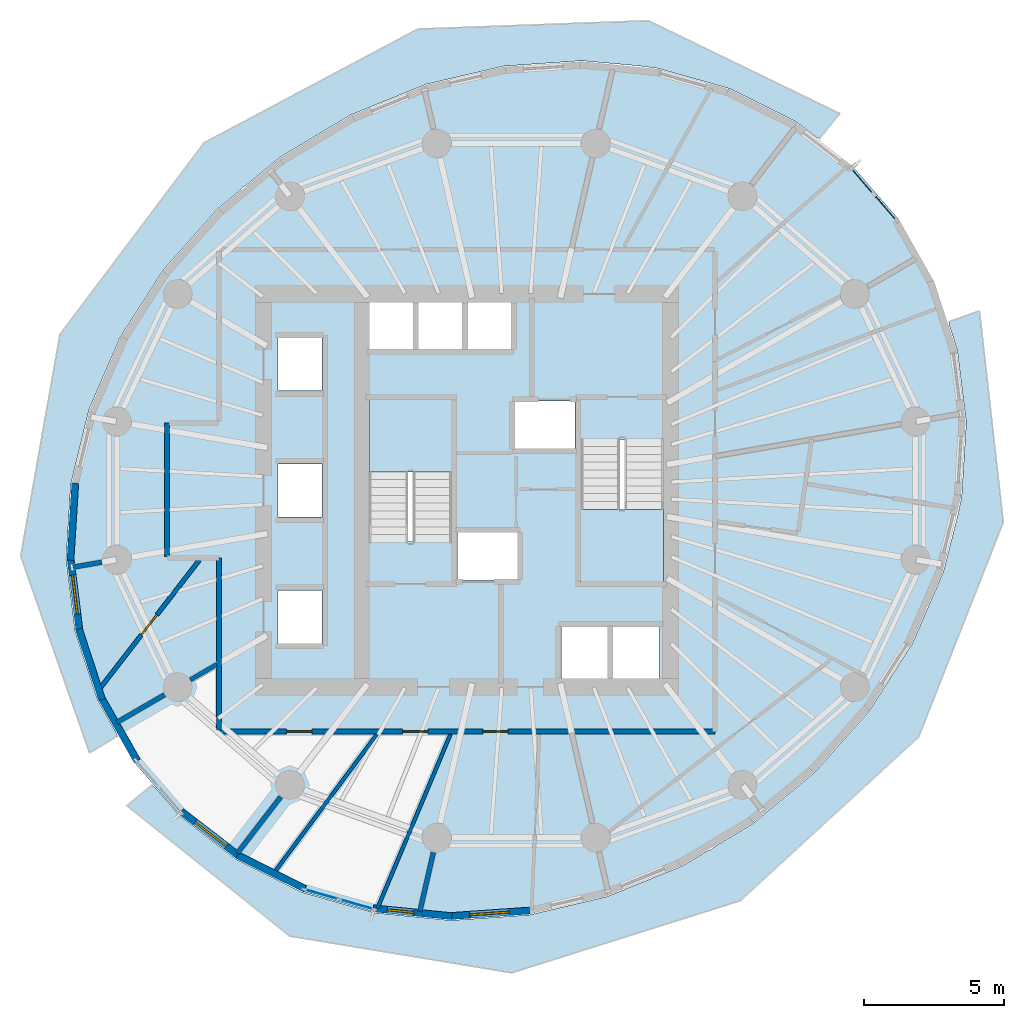
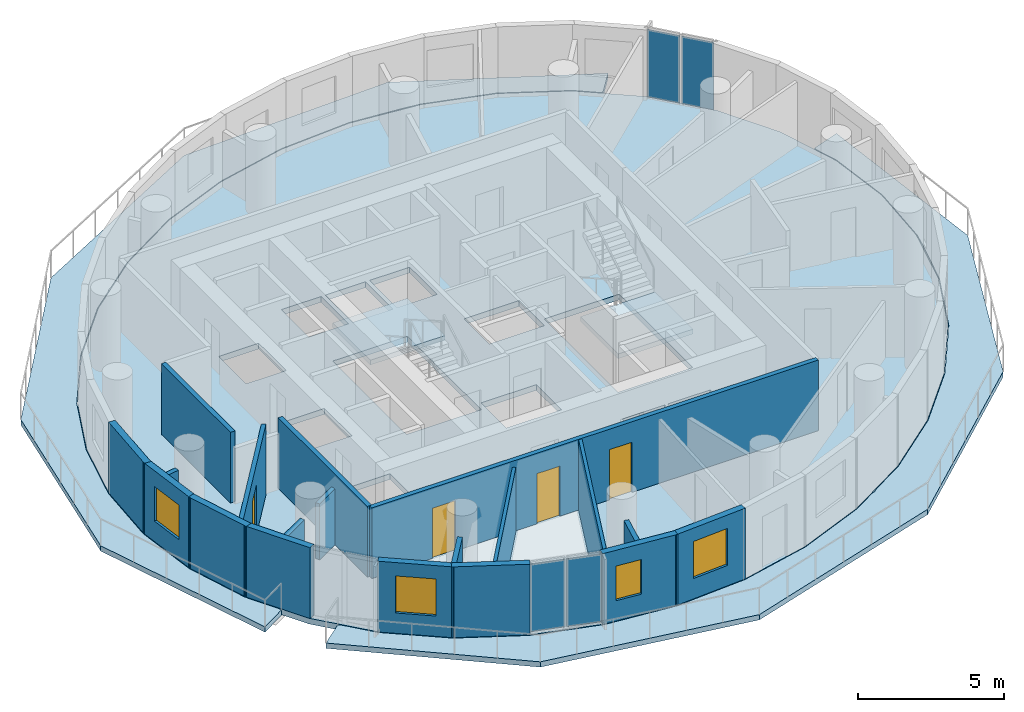
# One storey, part 4 of 12: 19 walls, 5 slabs, 4 doors, 4 plates, 4 windows, 8 openings, 4 elements without a shape of their own.
"""IFC4 building model written with IfcOpenShell, lengths in metres."""

from ifc_helpers import new_model, si_unit, direction, frame, frame_2d, origin, origin_2d, place, context, subcontext, project, spatial, polyline, rectangle, outline, extrude, material, layer, layer_set, type_object, element, fill, aggregate, save


model = new_model("IFC4")

# Units and contexts
model_context = context("Model", 3, precision=1e-05, world=origin(), true_north=direction((0.0, 1.0)))
body_context = subcontext(model_context, "Body", "Model", "MODEL_VIEW")
ifc_project = project(units=[si_unit("LENGTHUNIT", "METRE"), si_unit("AREAUNIT", "SQUARE_METRE"), si_unit("VOLUMEUNIT", "CUBIC_METRE"), si_unit("PLANEANGLEUNIT", "RADIAN"), si_unit("MASSUNIT", "GRAM", prefix="KILO")], contexts=[model_context])

# Site, building, storey
site_placement = place(None, origin())
site = spatial("IfcSite", under=ifc_project, at=site_placement, CompositionType="ELEMENT")
building_placement = place(site_placement, origin())
building = spatial("IfcBuilding", under=site, at=building_placement, Name="Veldorim Arch Residences", CompositionType="ELEMENT")
storey_placement = place(building_placement, frame((0.0, 0.0, 145.760009765625)))
storey = spatial("IfcBuildingStorey", under=building, at=storey_placement, Name="L43", CompositionType="ELEMENT", Elevation=145.760009765625)

# Slabs
ifc_material_1 = material(Name="Concrete C40/50", Category="concrete")
ifc_layer_1 = layer(ifc_material_1, 0.219970703125, Name="Planted Crescent Cantilever Balcony Slab 220")
ifc_layer_set_1 = layer_set([ifc_layer_1], Name="Concrete C40/50")
slab_type_1 = type_object("IfcSlabType", Name="Planted Crescent Cantilever Balcony Slab 220", PredefinedType="FLOOR", material=ifc_layer_set_1)
slab_1_placement = place(storey_placement, frame((0.0, 0.0, -0.219970703125)))
element("IfcSlab", 1, at=slab_1_placement, inside=storey, type_object=slab_type_1, Name="L43 planted crescent balcony slab A", PredefinedType="FLOOR", context=body_context, shape_type="SweptSolid", body=[
    extrude(outline(polyline([(42.681884765625, 36.580078125), (41.955810546875, 37.13916015625), (39.622314453125, 38.30322265625), (37.057373046875, 39.03271484375), (36.361328125, 39.122802734375), (34.339111328125, 39.30517578125), (31.5498046875, 39.11279296875), (28.7744140625, 38.461181640625), (26.09716796875, 37.37060546875), (23.59912109375, 35.873779296875), (22.39599609375, 34.877197265625), (22.2626953125, 34.80419921875), (22.181884765625, 34.699951171875), (21.356201171875, 34.016357421875), (19.436767578125, 31.8544921875), (17.898681640625, 29.454345703125), (16.788818359375, 26.88818359375), (16.14111328125, 24.234130859375), (15.975341796875, 21.572509765625), (16.29638671875, 18.98486328125), (17.094970703125, 16.54931640625), (17.749755859375, 15.393798828125), (17.789306640625, 15.2490234375), (16.80419921875, 14.655517578125), (14.352783203125, 21.66845703125), (15.75146484375, 29.5654296875), (20.880859375, 36.38525390625), (28.492431640625, 40.4365234375), (36.707763671875, 40.733642578125), (43.524169921875, 37.427490234375), (42.803955078125, 36.531005859375), (42.681884765625, 36.580078125)])), origin(), (0.0, 0.0, 1.0), 0.219970703125),
])
slab_2_placement = place(storey_placement, frame((0.0, 0.0, -0.219970703125)))
element("IfcSlab", 2, at=slab_2_placement, inside=storey, type_object=slab_type_1, Name="L43 planted crescent balcony slab B", PredefinedType="FLOOR", context=body_context, shape_type="SweptSolid", body=[
    extrude(outline(polyline([(19.1416015625, 13.426513671875), (20.01318359375, 12.424560546875), (22.044189453125, 10.86083984375), (24.377685546875, 9.69677734375), (26.942626953125, 8.96728515625), (29.660888671875, 8.69482421875), (32.4501953125, 8.88720703125), (35.2255859375, 9.538818359375), (37.90283203125, 10.62939453125), (38.82177734375, 11.18017578125), (38.947509765625, 11.221923828125), (39.06103515625, 11.323486328125), (40.40087890625, 12.126220703125), (42.643798828125, 13.983642578125), (44.563232421875, 16.1455078125), (46.101318359375, 18.545654296875), (47.211181640625, 21.11181640625), (47.712158203125, 23.07958984375), (47.85888671875, 23.765869140625), (48.024658203125, 26.427490234375), (47.70361328125, 29.01513671875), (47.418212890625, 29.8857421875), (47.412353515625, 30.017333984375), (48.49755859375, 30.398193359375), (49.346435546875, 22.8701171875), (46.33203125, 15.22216796875), (39.978515625, 9.392578125), (31.84033203125, 6.82568359375), (23.927978515625, 8.135009765625), (18.130615234375, 12.78076171875), (19.018310546875, 13.511962890625), (19.1416015625, 13.426513671875)])), origin(), (0.0, 0.0, 1.0), 0.219970703125),
])

# Stair, slab
ifc_material_2 = material(Name="Concrete C40/50", Category="concrete")
stair_type = type_object("IfcStairType", Name="Reinforced Concrete Dogleg Exit Staircase", PredefinedType="HALF_TURN_STAIR", material=ifc_material_2)
stair_1_placement = place(storey_placement, origin())
stair_1 = element("IfcStair", 3, at=stair_1_placement, inside=storey, type_object=stair_type, Name="L43 Exit Staircase ST-1", PredefinedType="HALF_TURN_STAIR")
ifc_material_3 = material(Name="Concrete C40/50", Category="concrete")
ifc_layer_2 = layer(ifc_material_3, 0.199951171875, Name="Reinforced Concrete Stair Landing 200")
ifc_layer_set_2 = layer_set([ifc_layer_2], Name="Concrete C40/50")
slab_type_2 = type_object("IfcSlabType", Name="Reinforced Concrete Stair Landing 200", PredefinedType="LANDING", material=ifc_layer_set_2)
slab_3_placement = place(storey_placement, frame((0.0, 0.0, 1.39990234375)))
slab_3 = element("IfcSlab", 4, at=slab_3_placement, type_object=slab_type_2, Name="ST-1 landing 1", PredefinedType="LANDING", context=body_context, shape_type="SweptSolid", body=[
    extrude(outline(polyline([(29.7099609375, 24.669921875), (29.7099609375, 27.25), (26.75, 27.25), (26.75, 24.669921875), (29.7099609375, 24.669921875)])), origin(), (0.0, 0.0, 1.0), 0.2001953125),
])
aggregate(stair_1, [slab_3])

stair_2_placement = place(storey_placement, origin())
stair_2 = element("IfcStair", 5, at=stair_2_placement, inside=storey, type_object=stair_type, Name="L43 Exit Staircase ST-2", PredefinedType="HALF_TURN_STAIR")
slab_4_placement = place(storey_placement, frame((0.0, 0.0, 1.39990234375)))
slab_4 = element("IfcSlab", 6, at=slab_4_placement, type_object=slab_type_2, Name="ST-2 landing 1", PredefinedType="LANDING", context=body_context, shape_type="SweptSolid", body=[
    extrude(outline(polyline([(34.2900390625, 23.330078125), (34.2900390625, 20.75), (37.25, 20.75), (37.25, 23.330078125), (34.2900390625, 23.330078125)])), origin(), (0.0, 0.0, 1.0), 0.2001953125),
])
aggregate(stair_2, [slab_4])

# Slab
ifc_material_4 = material(Name="Concrete C40/50", Category="concrete")
ifc_layer_3 = layer(ifc_material_4, 0.239990234375, Name="Typical Residential Floor Slab 240")
ifc_layer_set_3 = layer_set([ifc_layer_3], Name="Concrete C40/50")
slab_type_3 = type_object("IfcSlabType", Name="Typical Residential Floor Slab 240", PredefinedType="FLOOR", material=ifc_layer_set_3)
slab_5_placement = place(storey_placement, frame((0.0, 0.0, -0.239990234375)))
element("IfcSlab", 7, at=slab_5_placement, inside=storey, type_object=slab_type_3, Name="L43 tower structural floor slab", PredefinedType="FLOOR", context=body_context, shape_type="SweptSolid", body=[
    extrude(outline(polyline([(45.6328125, 33.6455078125), (43.969482421875, 35.55712890625), (41.9423828125, 37.117919921875), (39.61328125, 38.27978515625), (37.052734375, 39.008056640625), (34.338623046875, 39.280029296875), (31.5537109375, 39.087890625), (28.781982421875, 38.4375), (26.1083984375, 37.34814453125), (23.613525390625, 35.853271484375), (21.373779296875, 33.998291015625), (19.456787109375, 31.839599609375), (17.9208984375, 29.4423828125), (16.8125, 26.880126953125), (16.166015625, 24.230224609375), (16.00048828125, 21.573486328125), (16.321044921875, 18.990234375), (17.117919921875, 16.559326171875), (18.3671875, 14.3544921875), (20.030517578125, 12.44287109375), (22.0576171875, 10.882080078125), (24.38671875, 9.72021484375), (26.947265625, 8.991943359375), (29.661376953125, 8.719970703125), (32.4462890625, 8.912109375), (35.218017578125, 9.5625), (37.8916015625, 10.65185546875), (40.386474609375, 12.146728515625), (42.626220703125, 14.001708984375), (44.543212890625, 16.160400390625), (46.0791015625, 18.5576171875), (47.1875, 21.119873046875), (47.833984375, 23.769775390625), (47.99951171875, 26.426513671875), (47.678955078125, 29.009765625), (46.882080078125, 31.440673828125), (45.6328125, 33.6455078125)]), holes=[polyline([(23.510009765625, 18.56005859375), (23.510009765625, 20.43994140625), (25.090087890625, 20.43994140625), (25.090087890625, 18.56005859375), (23.510009765625, 18.56005859375)]), polyline([(23.510009765625, 24.93994140625), (25.090087890625, 24.93994140625), (25.090087890625, 23.06005859375), (23.510009765625, 23.06005859375), (23.510009765625, 24.93994140625)]), polyline([(26.75, 27.25), (29.7099609375, 27.25), (29.7099609375, 22.195068359375), (26.75, 22.195068359375), (26.75, 27.25)]), polyline([(23.510009765625, 27.56005859375), (23.510009765625, 29.43994140625), (25.090087890625, 29.43994140625), (25.090087890625, 27.56005859375), (23.510009765625, 27.56005859375)]), polyline([(26.760009765625, 30.7900390625), (28.340087890625, 30.7900390625), (28.340087890625, 28.909912109375), (26.760009765625, 28.909912109375), (26.760009765625, 30.7900390625)]), polyline([(28.510009765625, 30.7900390625), (30.090087890625, 30.7900390625), (30.090087890625, 28.909912109375), (28.510009765625, 28.909912109375), (28.510009765625, 30.7900390625)]), polyline([(33.610107421875, 17.2099609375), (33.610107421875, 19.2900390625), (35.2900390625, 19.2900390625), (35.2900390625, 17.2099609375), (33.610107421875, 17.2099609375)]), polyline([(35.409912109375, 19.2900390625), (37.090087890625, 19.2900390625), (37.090087890625, 17.2099609375), (35.409912109375, 17.2099609375), (35.409912109375, 19.2900390625)]), polyline([(29.909912109375, 22.544921875), (32.090087890625, 22.544921875), (32.090087890625, 20.81494140625), (29.909912109375, 20.81494140625), (29.909912109375, 22.544921875)]), polyline([(34.2900390625, 20.75), (34.2900390625, 25.804931640625), (37.25, 25.804931640625), (37.25, 20.75), (34.2900390625, 20.75)]), polyline([(31.909912109375, 27.18505859375), (34.090087890625, 27.18505859375), (34.090087890625, 25.455078125), (31.909912109375, 25.455078125), (31.909912109375, 27.18505859375)]), polyline([(30.260009765625, 30.7900390625), (31.840087890625, 30.7900390625), (31.840087890625, 28.909912109375), (30.260009765625, 28.909912109375), (30.260009765625, 30.7900390625)])]), origin(), (0.0, 0.0, 1.0), 0.239990234375),
])

# Curtain wall, plates
ifc_material_5 = material(Name="Aluminium", Category="aluminium")
curtain_wall_type = type_object("IfcCurtainWallType", Name="Zone 3 High-Wind Unitised Curtain Wall", PredefinedType="NOTDEFINED", material=ifc_material_5)
curtain_wall_1_placement = place(storey_placement, origin())
curtain_wall_1 = element("IfcCurtainWall", 8, at=curtain_wall_1_placement, inside=storey, type_object=curtain_wall_type, Name="L43 unitised curtain wall bay 01", PredefinedType="NOTDEFINED")
ifc_material_6 = material(Name="Laminated Low-E Glass", Category="glass")
ifc_layer_4 = layer(ifc_material_6, 0.028076171875, Name="Zone 3 High-Wind Unitised Curtain Wall Glazing Panel 28")
ifc_layer_set_4 = layer_set([ifc_layer_4], Name="Laminated Low-E Glass")
plate_type = type_object("IfcPlateType", Name="Zone 3 High-Wind Unitised Curtain Wall Glazing Panel 28", PredefinedType="CURTAIN_PANEL", material=ifc_layer_set_4)
plate_1_placement = place(storey_placement, frame((44.328857421875, 35.007080078125, 0.06982421875), z_axis=(0.0, 0.0, 1.0), x_axis=(0.65641511641, -0.754399890607, 0.0)))
plate_1 = element("IfcPlate", 9, at=plate_1_placement, type_object=plate_type, Name="CW-Z3 panel 1.1", PredefinedType="CURTAIN_PANEL", context=body_context, shape_type="SweptSolid", body=[
    extrude(rectangle(XDim=1.162109375, YDim=0.028076171875, at=origin_2d()), origin(), (0.0, 0.0, 1.0), 2.820068359375),
])
plate_2_placement = place(storey_placement, frame((45.1376953125, 34.07763671875, 0.06982421875), z_axis=(0.0, 0.0, 1.0), x_axis=(0.65641511641, -0.754399890607, 0.0)))
plate_2 = element("IfcPlate", 10, at=plate_2_placement, type_object=plate_type, Name="CW-Z3 panel 2.1", PredefinedType="CURTAIN_PANEL", context=body_context, shape_type="SweptSolid", body=[
    extrude(rectangle(XDim=1.162109375, YDim=0.028076171875, at=origin_2d()), origin(), (0.0, 0.0, 1.0), 2.820068359375),
])
aggregate(curtain_wall_1, [plate_1, plate_2])

curtain_wall_2_placement = place(storey_placement, origin())
curtain_wall_2 = element("IfcCurtainWall", 11, at=curtain_wall_2_placement, inside=storey, type_object=curtain_wall_type, Name="L43 unitised curtain wall bay 22", PredefinedType="NOTDEFINED")
plate_3_placement = place(storey_placement, frame((26.31494140625, 9.265380859375, 0.06982421875), z_axis=(0.0, 0.0, 1.0), x_axis=(-0.961857777908, 0.273550022991, 0.0)))
plate_3 = element("IfcPlate", 12, at=plate_3_placement, type_object=plate_type, Name="CW-Z3 panel 1.1", PredefinedType="CURTAIN_PANEL", context=body_context, shape_type="SweptSolid", body=[
    extrude(rectangle(XDim=1.22607421875, YDim=0.028076171875, at=origin_2d()), origin(), (0.0, 0.0, 1.0), 2.820068359375),
])
plate_4_placement = place(storey_placement, frame((25.068359375, 9.619873046875, 0.06982421875), z_axis=(0.0, 0.0, 1.0), x_axis=(-0.961857777908, 0.273550022991, 0.0)))
plate_4 = element("IfcPlate", 13, at=plate_4_placement, type_object=plate_type, Name="CW-Z3 panel 2.1", PredefinedType="CURTAIN_PANEL", context=body_context, shape_type="SweptSolid", body=[
    extrude(rectangle(XDim=1.22607421875, YDim=0.028076171875, at=origin_2d()), origin(), (0.0, 0.0, 1.0), 2.820068359375),
])
aggregate(curtain_wall_2, [plate_3, plate_4])

# Walls
ifc_material_7 = material(Name="Acoustic Gypsum Board", Category="gypsum")
ifc_layer_5 = layer(ifc_material_7, 0.125, Name="Acoustic Stud Room Partition Wall 125")
ifc_layer_set_5 = layer_set([ifc_layer_5], Name="Acoustic Gypsum Board")
wall_type_1 = type_object("IfcWallType", Name="Acoustic Stud Room Partition Wall 125", PredefinedType="PARTITIONING", material=ifc_layer_set_5)
wall_1_placement = place(storey_placement, frame((27.05859375, 9.12158203125, 0.0), z_axis=(0.0, 0.0, 1.0), x_axis=(0.386926287161, 0.922110648623, 0.0)))
element("IfcWall", 14, at=wall_1_placement, inside=storey, type_object=wall_type_1, Name="L43 interior wall WL-RES-L43-010", PredefinedType="PARTITIONING", context=body_context, shape_type="SweptSolid", body=[
    extrude(rectangle(XDim=6.71044921875, YDim=0.125, at=frame_2d((3.355224609375, 0.0))), origin(), (0.0, 0.0, 1.0), 2.955078125),
])
wall_2_placement = place(storey_placement, frame((23.369873046875, 10.384033203125, 0.0), z_axis=(0.0, 0.0, 1.0), x_axis=(0.596726995384, 0.802444323913, 0.0)))
element("IfcWall", 15, at=wall_2_placement, inside=storey, type_object=wall_type_1, Name="L43 interior wall WL-RES-L43-012", PredefinedType="PARTITIONING", context=body_context, shape_type="SweptSolid", body=[
    extrude(rectangle(XDim=6.15576171875, YDim=0.125, at=frame_2d((3.077880859375, 0.0))), origin(), (0.0, 0.0, 1.0), 2.69189453125),
])
ifc_material_8 = material(Name="Lightweight Masonry Block & Gypsum", Category="masonry")
ifc_layer_6 = layer(ifc_material_8, 0.179931640625, Name="Compartment & Corridor Fire-Rated Party Wall 180")
ifc_layer_set_6 = layer_set([ifc_layer_6], Name="Lightweight Masonry Block & Gypsum")
wall_type_2 = type_object("IfcWallType", Name="Compartment & Corridor Fire-Rated Party Wall 180", PredefinedType="PARTITIONING", material=ifc_layer_set_6)
wall_3_placement = place(storey_placement, frame((17.24169921875, 21.44921875, 0.0), z_axis=(0.0, 0.0, 1.0), x_axis=(-0.985390767806, -0.170308645474, 0.0)))
element("IfcWall", 16, at=wall_3_placement, inside=storey, type_object=wall_type_2, Name="L43 interior wall WL-PIER-L43-09", PredefinedType="PARTITIONING", context=body_context, shape_type="SweptSolid", body=[
    extrude(rectangle(XDim=1.037841796875, YDim=0.179931640625, at=frame_2d((0.51904296875, 0.0))), origin(), (0.0, 0.0, 1.0), 2.335693359375),
])
wall_4_placement = place(storey_placement, frame((19.472412109375, 16.72607421875, 0.0), z_axis=(0.0, 0.0, 1.0), x_axis=(-0.864802971131, -0.502111363268, 0.0)))
element("IfcWall", 17, at=wall_4_placement, inside=storey, type_object=wall_type_2, Name="L43 interior wall WL-PIER-L43-10", PredefinedType="PARTITIONING", context=body_context, shape_type="SweptSolid", body=[
    extrude(rectangle(XDim=1.95068359375, YDim=0.179931640625, at=frame_2d((0.975341796875, 0.0))), origin(), (0.0, 0.0, 1.0), 2.335693359375),
])
wall_5_placement = place(storey_placement, frame((23.612060546875, 13.091552734375, 0.0), z_axis=(0.0, 0.0, 1.0), x_axis=(-0.609556175004, -0.792742877303, 0.0)))
element("IfcWall", 18, at=wall_5_placement, inside=storey, type_object=wall_type_2, Name="L43 interior wall WL-PIER-L43-11", PredefinedType="PARTITIONING", context=body_context, shape_type="SweptSolid", body=[
    extrude(rectangle(XDim=2.518798828125, YDim=0.179931640625, at=frame_2d((1.25927734375, 0.0))), origin(), (0.0, 0.0, 1.0), 2.335693359375),
])
wall_6_placement = place(storey_placement, frame((29.049560546875, 11.11083984375, 0.0), z_axis=(0.0, 0.0, 1.0), x_axis=(-0.223080127706, -0.974800111111, 0.0)))
element("IfcWall", 19, at=wall_6_placement, inside=storey, type_object=wall_type_2, Name="L43 interior wall WL-PIER-L43-12", PredefinedType="PARTITIONING", context=body_context, shape_type="SweptSolid", body=[
    extrude(rectangle(XDim=2.15478515625, YDim=0.179931640625, at=frame_2d((1.077392578125, 0.0))), origin(), (0.0, 0.0, 1.0), 2.335693359375),
])

# Wall, openings, doors
wall_7_placement = place(storey_placement, frame((39.080078125, 15.419921875, 0.0), z_axis=(0.0, 0.0, 1.0), x_axis=(-1.0, 0.0, 0.0)))
wall_7 = element("IfcWall", 20, at=wall_7_placement, inside=storey, type_object=wall_type_2, Name="L43 interior wall WL-RES-L43-001", PredefinedType="PARTITIONING", context=body_context, shape_type="SweptSolid", body=[
    extrude(rectangle(XDim=17.66015625, YDim=0.179931640625, at=frame_2d((8.830078125, 0.0))), origin(), (0.0, 0.0, 1.0), 2.955078125),
])
opening_1_placement = place(wall_7_placement, frame((7.36767578125, 0.0, 0.0)))
opening_1 = element("IfcOpeningElement", 21, at=opening_1_placement, cuts=wall_7, Name="Opening DR-SVC", PredefinedType="OPENING", context=body_context, shape_type="SweptSolid", body=[
    extrude(rectangle(XDim=0.89990234375, YDim=2.10009765625, at=frame_2d((0.449951171875, 1.050048828125))), frame((0.0, 0.099853515625, 0.0), z_axis=(0.0, -1.0, 0.0), x_axis=(1.0, 0.0, 0.0)), (0.0, 0.0, 1.0), 0.199951171875),
])
opening_2_placement = place(wall_7_placement, frame((10.224365234375, 0.0, 0.0)))
opening_2 = element("IfcOpeningElement", 22, at=opening_2_placement, cuts=wall_7, Name="Opening DR-INT", PredefinedType="OPENING", context=body_context, shape_type="SweptSolid", body=[
    extrude(rectangle(XDim=0.89990234375, YDim=2.10009765625, at=frame_2d((0.449951171875, 1.050048828125))), frame((0.0, 0.099853515625, 0.0), z_axis=(0.0, -1.0, 0.0), x_axis=(1.0, 0.0, 0.0)), (0.0, 0.0, 1.0), 0.199951171875),
])
opening_3_placement = place(wall_7_placement, frame((14.3525390625, 0.0, 0.0)))
opening_3 = element("IfcOpeningElement", 23, at=opening_3_placement, cuts=wall_7, Name="Opening DR-INT", PredefinedType="OPENING", context=body_context, shape_type="SweptSolid", body=[
    extrude(rectangle(XDim=0.89990234375, YDim=2.10009765625, at=frame_2d((0.449951171875, 1.050048828125))), frame((0.0, 0.099853515625, 0.0), z_axis=(0.0, -1.0, 0.0), x_axis=(1.0, 0.0, 0.0)), (0.0, 0.0, 1.0), 0.199951171875),
])
ifc_material_9 = material(Name="Engineered Timber", Category="wood")
door_type_1 = type_object("IfcDoorType", Name="Apartment Internal Room Timber Door 900x2100", OperationType="SINGLE_SWING_LEFT", PredefinedType="DOOR", material=ifc_material_9)
door_1_placement = place(opening_2_placement, origin())
door_1 = element("IfcDoor", 24, at=door_1_placement, inside=storey, type_object=door_type_1, Name="L43 interior door DR-RES-L43-002", OperationType="SINGLE_SWING_RIGHT", OverallHeight=2.10009765625, OverallWidth=0.89990234375, PredefinedType="DOOR", context=body_context, shape_type="SweptSolid", body=[
    extrude(rectangle(XDim=0.89990234375, YDim=2.10009765625, at=frame_2d((0.449951171875, 1.050048828125))), frame((0.0, 0.02490234375, 0.0), z_axis=(0.0, -1.0, 0.0), x_axis=(1.0, 0.0, 0.0)), (0.0, 0.0, 1.0), 0.050048828125),
])
fill(opening_2, door_1)
door_2_placement = place(opening_3_placement, origin())
door_2 = element("IfcDoor", 25, at=door_2_placement, inside=storey, type_object=door_type_1, Name="L43 interior door DR-RES-L43-003", OperationType="SINGLE_SWING_LEFT", OverallHeight=2.10009765625, OverallWidth=0.89990234375, PredefinedType="DOOR", context=body_context, shape_type="SweptSolid", body=[
    extrude(rectangle(XDim=0.89990234375, YDim=2.10009765625, at=frame_2d((0.449951171875, 1.050048828125))), frame((0.0, 0.02490234375, 0.0), z_axis=(0.0, -1.0, 0.0), x_axis=(1.0, 0.0, 0.0)), (0.0, 0.0, 1.0), 0.050048828125),
])
fill(opening_3, door_2)
ifc_material_10 = material(Name="Fire-Rated Steel", Category="steel")
door_type_2 = type_object("IfcDoorType", Name="Riser, Shelter & Plant Room Rated Steel Door 900x2100", OperationType="SINGLE_SWING_LEFT", PredefinedType="DOOR", material=ifc_material_10)
door_3_placement = place(opening_1_placement, origin())
door_3 = element("IfcDoor", 26, at=door_3_placement, inside=storey, type_object=door_type_2, Name="L43 interior door DR-RES-L43-001", OperationType="SINGLE_SWING_LEFT", OverallHeight=2.10009765625, OverallWidth=0.89990234375, PredefinedType="DOOR", context=body_context, shape_type="SweptSolid", body=[
    extrude(rectangle(XDim=0.89990234375, YDim=2.10009765625, at=frame_2d((0.449951171875, 1.050048828125))), frame((0.0, 0.02490234375, 0.0), z_axis=(0.0, -1.0, 0.0), x_axis=(1.0, 0.0, 0.0)), (0.0, 0.0, 1.0), 0.050048828125),
])
fill(opening_1, door_3)

# Walls
wall_8_placement = place(storey_placement, frame((21.419921875, 15.47998046875, 0.0), z_axis=(0.0, 0.0, 1.0), x_axis=(0.0, 1.0, 0.0)))
element("IfcWall", 27, at=wall_8_placement, inside=storey, type_object=wall_type_2, Name="L43 interior wall WL-RES-L43-002", PredefinedType="PARTITIONING", context=body_context, shape_type="SweptSolid", body=[
    extrude(rectangle(XDim=6.1201171875, YDim=0.179931640625, at=frame_2d((3.06005859375, 0.0))), origin(), (0.0, 0.0, 1.0), 2.955078125),
])
wall_9_placement = place(storey_placement, frame((19.570068359375, 21.659912109375, 0.0), z_axis=(0.0, 0.0, 1.0), x_axis=(0.0, 1.0, 0.0)))
element("IfcWall", 28, at=wall_9_placement, inside=storey, type_object=wall_type_2, Name="L43 interior wall WL-RES-L43-007", PredefinedType="PARTITIONING", context=body_context, shape_type="SweptSolid", body=[
    extrude(rectangle(XDim=4.739990234375, YDim=0.179931640625, at=frame_2d((2.3701171875, 0.0))), origin(), (0.0, 0.0, 1.0), 2.955078125),
])
ifc_material_11 = material(Name="Precast concrete C40/50", Category="concrete")
ifc_layer_7 = layer(ifc_material_11, 0.25, Name="Tower Terracotta Spandrel & Pier Wall 250")
ifc_layer_set_7 = layer_set([ifc_layer_7], Name="Precast concrete C40/50")
wall_type_3 = type_object("IfcWallType", Name="Tower Terracotta Spandrel & Pier Wall 250", PredefinedType="SOLIDWALL", material=ifc_layer_set_7)
wall_10_placement = place(storey_placement, frame((16.122314453125, 21.520751953125, 0.0), z_axis=(0.0, 0.0, 1.0), x_axis=(0.062278868317, 0.998058787127, 0.0)))
element("IfcWall", 29, at=wall_10_placement, inside=storey, type_object=wall_type_3, Name="L43 terracotta facade wall 15", PredefinedType="SOLIDWALL", context=body_context, shape_type="SweptSolid", body=[
    extrude(rectangle(XDim=2.751953125, YDim=0.25, at=frame_2d((1.3759765625, 0.0))), origin(), (0.0, 0.0, 1.0), 2.9599609375),
])

# Wall, opening, window
wall_11_placement = place(storey_placement, frame((16.45068359375, 18.9609375, 0.0), z_axis=(0.0, 0.0, 1.0), x_axis=(-0.123197890413, 0.992382123881, 0.0)))
wall_11 = element("IfcWall", 30, at=wall_11_placement, inside=storey, type_object=wall_type_3, Name="L43 terracotta facade wall 16", PredefinedType="SOLIDWALL", context=body_context, shape_type="SweptSolid", body=[
    extrude(rectangle(XDim=2.693115234375, YDim=0.25, at=frame_2d((1.3466796875, 0.0))), origin(), (0.0, 0.0, 1.0), 2.9599609375),
])
opening_4_placement = place(wall_11_placement, frame((0.64697265625, 0.0, 0.85009765625)))
opening_4 = element("IfcOpeningElement", 31, at=opening_4_placement, cuts=wall_11, Name="Opening WN-02", PredefinedType="OPENING", context=body_context, shape_type="SweptSolid", body=[
    extrude(rectangle(XDim=1.39990234375, YDim=1.449951171875, at=frame_2d((0.699951171875, 0.72509765625))), frame((0.0, 0.135009765625, 0.0), z_axis=(0.0, -1.0, 0.0), x_axis=(1.0, 0.0, 0.0)), (0.0, 0.0, 1.0), 0.27001953125),
])
ifc_material_12 = material(Name="Laminated Low-E Glass", Category="glass")
window_type_1 = type_object("IfcWindowType", Name="Residential Casement Window 1400x1550", PartitioningType="SINGLE_PANEL", PredefinedType="WINDOW", material=ifc_material_12)
window_1_placement = place(opening_4_placement, origin())
window_1 = element("IfcWindow", 32, at=window_1_placement, inside=storey, type_object=window_type_1, Name="L43 solar-control facade window 16", OverallHeight=1.449951171875, OverallWidth=1.39990234375, PartitioningType="SINGLE_PANEL", PredefinedType="WINDOW", context=body_context, shape_type="SweptSolid", body=[
    extrude(rectangle(XDim=1.39990234375, YDim=1.449951171875, at=frame_2d((0.699951171875, 0.72509765625))), frame((0.0, 0.030029296875, 0.0), z_axis=(0.0, -1.0, 0.0), x_axis=(1.0, 0.0, 0.0)), (0.0, 0.0, 1.0), 0.06005859375),
])
fill(opening_4, window_1)

# Walls
wall_12_placement = place(storey_placement, frame((17.250732421875, 16.5556640625, 0.0), z_axis=(0.0, 0.0, 1.0), x_axis=(-0.311522010952, 0.950238936633, 0.0)))
element("IfcWall", 33, at=wall_12_placement, inside=storey, type_object=wall_type_3, Name="L43 terracotta facade wall 17", PredefinedType="SOLIDWALL", context=body_context, shape_type="SweptSolid", body=[
    extrude(rectangle(XDim=2.648193359375, YDim=0.25, at=frame_2d((1.32421875, 0.0))), origin(), (0.0, 0.0, 1.0), 2.9599609375),
])
wall_13_placement = place(storey_placement, frame((18.498046875, 14.376953125, 0.0), z_axis=(0.0, 0.0, 1.0), x_axis=(-0.492909281161, 0.870080709214, 0.0)))
element("IfcWall", 34, at=wall_13_placement, inside=storey, type_object=wall_type_3, Name="L43 terracotta facade wall 18", PredefinedType="SOLIDWALL", context=body_context, shape_type="SweptSolid", body=[
    extrude(rectangle(XDim=2.6240234375, YDim=0.25, at=frame_2d((1.31201171875, 0.0))), origin(), (0.0, 0.0, 1.0), 2.9599609375),
])

# Wall, opening, window
wall_14_placement = place(storey_placement, frame((22.16943359375, 10.953857421875, 0.0), z_axis=(0.0, 0.0, 1.0), x_axis=(-0.7923805969, 0.610027040103, 0.0)))
wall_14 = element("IfcWall", 35, at=wall_14_placement, inside=storey, type_object=wall_type_3, Name="L43 terracotta facade wall 20", PredefinedType="SOLIDWALL", context=body_context, shape_type="SweptSolid", body=[
    extrude(rectangle(XDim=2.648193359375, YDim=0.25, at=frame_2d((1.32421875, 0.0))), origin(), (0.0, 0.0, 1.0), 2.9599609375),
])
opening_5_placement = place(wall_14_placement, frame((0.6240234375, 0.0, 0.85009765625)))
opening_5 = element("IfcOpeningElement", 36, at=opening_5_placement, cuts=wall_14, Name="Opening WN-02", PredefinedType="OPENING", context=body_context, shape_type="SweptSolid", body=[
    extrude(rectangle(XDim=1.39990234375, YDim=1.550048828125, at=frame_2d((0.699951171875, 0.77490234375))), frame((0.0, 0.135009765625, 0.0), z_axis=(0.0, -1.0, 0.0), x_axis=(1.0, 0.0, 0.0)), (0.0, 0.0, 1.0), 0.27001953125),
])
window_2_placement = place(opening_5_placement, origin())
window_2 = element("IfcWindow", 37, at=window_2_placement, inside=storey, type_object=window_type_1, Name="L43 solar-control facade window 20", OverallHeight=1.550048828125, OverallWidth=1.39990234375, PartitioningType="SINGLE_PANEL", PredefinedType="WINDOW", context=body_context, shape_type="SweptSolid", body=[
    extrude(rectangle(XDim=1.39990234375, YDim=1.550048828125, at=frame_2d((0.699951171875, 0.77490234375))), frame((0.0, 0.030029296875, 0.0), z_axis=(0.0, -1.0, 0.0), x_axis=(1.0, 0.0, 0.0)), (0.0, 0.0, 1.0), 0.06005859375),
])
fill(opening_5, window_2)

# Wall
wall_15_placement = place(storey_placement, frame((24.48291015625, 9.81201171875, 0.0), z_axis=(0.0, 0.0, 1.0), x_axis=(-0.894843809708, 0.446379385979, 0.0)))
element("IfcWall", 38, at=wall_15_placement, inside=storey, type_object=wall_type_3, Name="L43 terracotta facade wall 21", PredefinedType="SOLIDWALL", context=body_context, shape_type="SweptSolid", body=[
    extrude(rectangle(XDim=2.693115234375, YDim=0.25, at=frame_2d((1.3466796875, 0.0))), origin(), (0.0, 0.0, 1.0), 2.9599609375),
])

# Wall, opening, window
wall_16_placement = place(storey_placement, frame((29.718505859375, 8.83984375, 0.0), z_axis=(0.0, 0.0, 1.0), x_axis=(-0.995013999105, 0.099735357744, 0.0)))
wall_16 = element("IfcWall", 39, at=wall_16_placement, inside=storey, type_object=wall_type_3, Name="L43 terracotta facade wall 23", PredefinedType="SOLIDWALL", context=body_context, shape_type="SweptSolid", body=[
    extrude(rectangle(XDim=2.817626953125, YDim=0.25, at=frame_2d((1.40869140625, 0.0))), origin(), (0.0, 0.0, 1.0), 2.9599609375),
])
opening_6_placement = place(wall_16_placement, frame((1.366943359375, 0.0, 0.85009765625)))
opening_6 = element("IfcOpeningElement", 40, at=opening_6_placement, cuts=wall_16, Name="Opening WN-05", PredefinedType="OPENING", context=body_context, shape_type="SweptSolid", body=[
    extrude(rectangle(XDim=0.949951171875, YDim=1.449951171875, at=frame_2d((0.47509765625, 0.72509765625))), frame((0.0, 0.135009765625, 0.0), z_axis=(0.0, -1.0, 0.0), x_axis=(1.0, 0.0, 0.0)), (0.0, 0.0, 1.0), 0.27001953125),
])
ifc_material_13 = material(Name="Laminated Low-E Glass", Category="glass")
window_type_2 = type_object("IfcWindowType", Name="Residential Compact Casement Window 950x1450", PartitioningType="SINGLE_PANEL", PredefinedType="WINDOW", material=ifc_material_13)
window_3_placement = place(opening_6_placement, origin())
window_3 = element("IfcWindow", 41, at=window_3_placement, inside=storey, type_object=window_type_2, Name="L43 solar-control facade window 23", OverallHeight=1.449951171875, OverallWidth=0.949951171875, PartitioningType="SINGLE_PANEL", PredefinedType="WINDOW", context=body_context, shape_type="SweptSolid", body=[
    extrude(rectangle(XDim=0.949951171875, YDim=1.449951171875, at=frame_2d((0.47509765625, 0.72509765625))), frame((0.0, 0.030029296875, 0.0), z_axis=(0.0, -1.0, 0.0), x_axis=(1.0, 0.0, 0.0)), (0.0, 0.0, 1.0), 0.06005859375),
])
fill(opening_6, window_3)

wall_17_placement = place(storey_placement, frame((32.482666015625, 9.039794921875, 0.0), z_axis=(0.0, 0.0, 1.0), x_axis=(-0.997630729469, -0.068796276206, 0.0)))
wall_17 = element("IfcWall", 42, at=wall_17_placement, inside=storey, type_object=wall_type_3, Name="L43 terracotta facade wall 24", PredefinedType="SOLIDWALL", context=body_context, shape_type="SweptSolid", body=[
    extrude(rectangle(XDim=2.881591796875, YDim=0.25, at=frame_2d((1.44091796875, 0.0))), origin(), (0.0, 0.0, 1.0), 2.9599609375),
])
opening_7_placement = place(wall_17_placement, frame((0.740966796875, 0.0, 0.85009765625)))
opening_7 = element("IfcOpeningElement", 43, at=opening_7_placement, cuts=wall_17, Name="Opening WN-02", PredefinedType="OPENING", context=body_context, shape_type="SweptSolid", body=[
    extrude(rectangle(XDim=1.39990234375, YDim=1.550048828125, at=frame_2d((0.699951171875, 0.77490234375))), frame((0.0, 0.135009765625, 0.0), z_axis=(0.0, -1.0, 0.0), x_axis=(1.0, 0.0, 0.0)), (0.0, 0.0, 1.0), 0.27001953125),
])
window_4_placement = place(opening_7_placement, origin())
window_4 = element("IfcWindow", 44, at=window_4_placement, inside=storey, type_object=window_type_1, Name="L43 solar-control facade window 24", OverallHeight=1.550048828125, OverallWidth=1.39990234375, PartitioningType="SINGLE_PANEL", PredefinedType="WINDOW", context=body_context, shape_type="SweptSolid", body=[
    extrude(rectangle(XDim=1.39990234375, YDim=1.550048828125, at=frame_2d((0.699951171875, 0.77490234375))), frame((0.0, 0.030029296875, 0.0), z_axis=(0.0, -1.0, 0.0), x_axis=(1.0, 0.0, 0.0)), (0.0, 0.0, 1.0), 0.06005859375),
])
fill(opening_7, window_4)

# Wall
ifc_material_14 = material(Name="Moisture-Resistant Gypsum & Stud", Category="gypsum")
ifc_layer_8 = layer(ifc_material_14, 0.159912109375, Name="Wet-Area Moisture-Resistant Plumbing Wall 160")
ifc_layer_set_8 = layer_set([ifc_layer_8], Name="Moisture-Resistant Gypsum & Stud")
wall_type_4 = type_object("IfcWallType", Name="Wet-Area Moisture-Resistant Plumbing Wall 160", PredefinedType="PLUMBINGWALL", material=ifc_layer_set_8)
wall_18_placement = place(storey_placement, frame((20.39111328125, 17.259521484375, 0.0), z_axis=(0.0, 0.0, 1.0), x_axis=(0.864719901707, 0.50225440923, 0.0)))
element("IfcWall", 45, at=wall_18_placement, inside=storey, type_object=wall_type_4, Name="L43 interior wall WL-RES-L43-013", PredefinedType="PLUMBINGWALL", context=body_context, shape_type="SweptSolid", body=[
    extrude(rectangle(XDim=1.08984375, YDim=0.159912109375, at=frame_2d((0.544921875, 0.0))), origin(), (0.0, 0.0, 1.0), 2.335693359375),
])

# Wall, opening, door
wall_19_placement = place(storey_placement, frame((20.7138671875, 21.52099609375, 0.0), z_axis=(0.0, 0.0, 1.0), x_axis=(-0.612572320399, -0.790414544578, 0.0)))
wall_19 = element("IfcWall", 46, at=wall_19_placement, inside=storey, type_object=wall_type_4, Name="L43 interior wall WL-RES-L43-026", PredefinedType="PLUMBINGWALL", context=body_context, shape_type="SweptSolid", body=[
    extrude(rectangle(XDim=5.822021484375, YDim=0.159912109375, at=frame_2d((2.9111328125, 0.0))), origin(), (0.0, 0.0, 1.0), 2.955078125),
])
opening_8_placement = place(wall_19_placement, frame((2.4609375, 0.0, 0.0)))
opening_8 = element("IfcOpeningElement", 47, at=opening_8_placement, cuts=wall_19, Name="Opening DR-WC", PredefinedType="OPENING", context=body_context, shape_type="SweptSolid", body=[
    extrude(rectangle(XDim=0.89990234375, YDim=2.10009765625, at=frame_2d((0.449951171875, 1.050048828125))), frame((0.0, 0.08984375, 0.0), z_axis=(0.0, -1.0, 0.0), x_axis=(1.0, 0.0, 0.0)), (0.0, 0.0, 1.0), 0.179931640625),
])
ifc_material_15 = material(Name="Laminate Timber", Category="wood")
door_type_3 = type_object("IfcDoorType", Name="Bathroom & Accessible WC Moisture-Sealed Door 900x2100", OperationType="SINGLE_SWING_LEFT", PredefinedType="DOOR", material=ifc_material_15)
door_4_placement = place(opening_8_placement, origin())
door_4 = element("IfcDoor", 48, at=door_4_placement, inside=storey, type_object=door_type_3, Name="L43 interior door DR-RES-L43-016", OperationType="SINGLE_SWING_RIGHT", OverallHeight=2.10009765625, OverallWidth=0.89990234375, PredefinedType="DOOR", context=body_context, shape_type="SweptSolid", body=[
    extrude(rectangle(XDim=0.89990234375, YDim=2.10009765625, at=frame_2d((0.449951171875, 1.050048828125))), frame((0.0, 0.02490234375, 0.0), z_axis=(0.0, -1.0, 0.0), x_axis=(1.0, 0.0, 0.0)), (0.0, 0.0, 1.0), 0.050048828125),
])
fill(opening_8, door_4)

save(model, "model.ifc")
